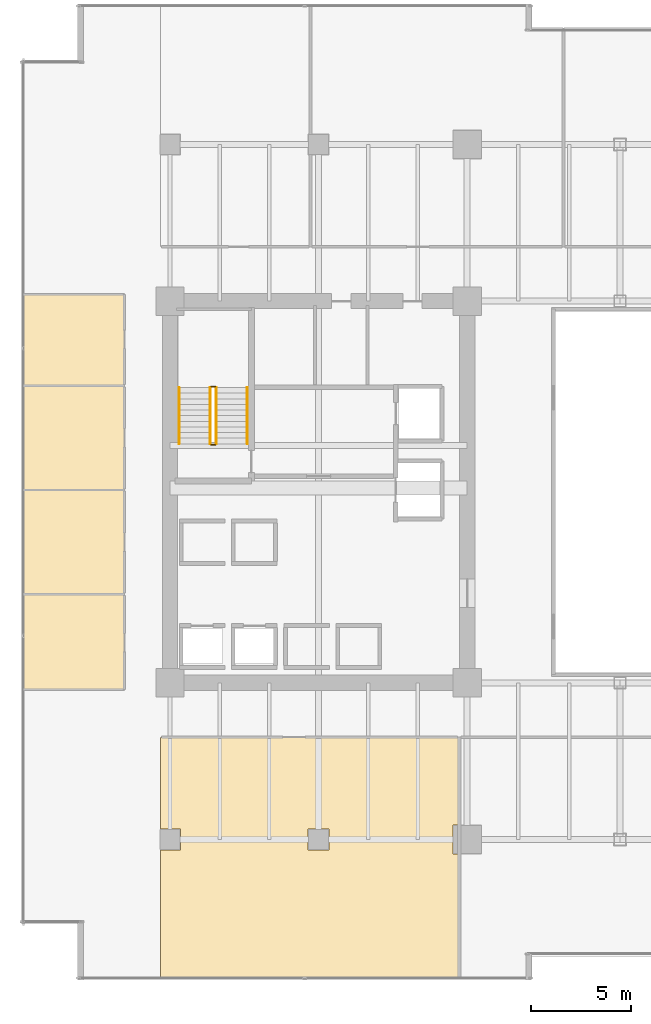
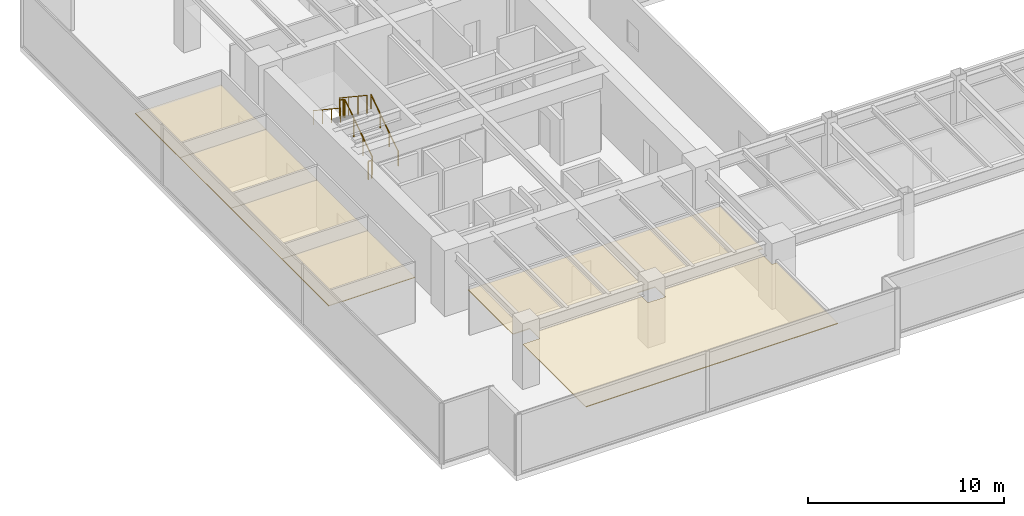
# One storey, part 34 of 36: 6 railings, 5 coverings.
"""IFC4 building model written with IfcOpenShell, lengths in metres."""

from ifc_helpers import new_model, si_unit, direction, frame, origin, origin_2d, place, context, subcontext, project, spatial, polyline, circle, outline, extrude, source, transform, mapped, material, layer, layer_set, type_object, type_shapes, element, save


model = new_model("IFC4")

# Units and contexts
model_context = context("Model", 3, precision=1e-05, world=origin(), true_north=direction((0.0, 1.0)))
body_context = subcontext(model_context, "Body", "Model", "MODEL_VIEW")
ifc_project = project(units=[si_unit("LENGTHUNIT", "METRE"), si_unit("AREAUNIT", "SQUARE_METRE"), si_unit("VOLUMEUNIT", "CUBIC_METRE"), si_unit("PLANEANGLEUNIT", "RADIAN"), si_unit("MASSUNIT", "GRAM", prefix="KILO")], contexts=[model_context])

# Site, building, storey
site_placement = place(None, origin())
site = spatial("IfcSite", under=ifc_project, at=site_placement, CompositionType="ELEMENT")
building_placement = place(site_placement, origin())
building = spatial("IfcBuilding", under=site, at=building_placement, Name="Haelvirn Gate Laboratories", CompositionType="ELEMENT")
storey_placement = place(building_placement, frame((0.0, 0.0, 53.89990234375)))
storey = spatial("IfcBuildingStorey", under=building, at=storey_placement, Name="L13", CompositionType="ELEMENT", Elevation=53.89990234375)

# Coverings
ifc_material_1 = material(Name="Washable cleanroom gasketed aluminium ceiling", Category="aluminium")
ifc_layer = layer(ifc_material_1, 0.050048828125, Name="COV-CEIL-CLN")
ifc_layer_set = layer_set([ifc_layer], Name="Washable cleanroom gasketed aluminium ceiling")
covering_type = type_object("IfcCoveringType", Name="COV-CEIL-CLN", PredefinedType="CEILING", material=ifc_layer_set)
covering_1_placement = place(storey_placement, frame((0.0, 0.0, 2.800048828125)))
element("IfcCovering", 1, at=covering_1_placement, inside=storey, type_object=covering_type, Name="L13 Laboratory Acoustic Ceiling CEIL-SP-L13-S-01", PredefinedType="CEILING", context=body_context, shape_type="SweptSolid", body=[
    extrude(outline(polyline([(6.919921875, 0.050048828125), (6.919921875, 6.47998046875), (7.919921875, 6.47998046875), (7.919921875, 7.52001953125), (6.919921875, 7.52001953125), (6.919921875, 12.080078125), (21.780029296875, 12.080078125), (21.780029296875, 7.719970703125), (21.47998046875, 7.719970703125), (21.47998046875, 6.280029296875), (21.780029296875, 6.280029296875), (21.780029296875, 0.050048828125), (6.919921875, 0.050048828125)]), holes=[polyline([(14.280029296875, 6.47998046875), (15.320068359375, 6.47998046875), (15.320068359375, 7.52001953125), (14.280029296875, 7.52001953125), (14.280029296875, 6.47998046875)])]), origin(), (0.0, 0.0, 1.0), 0.050048828125),
])
covering_2_placement = place(storey_placement, frame((0.0, 0.0, 2.800048828125)))
element("IfcCovering", 2, at=covering_2_placement, inside=storey, type_object=covering_type, Name="L13 Laboratory Acoustic Ceiling CEIL-SP-L13-WCELL-01", PredefinedType="CEILING", context=body_context, shape_type="SweptSolid", body=[
    extrude(outline(polyline([(0.050048828125, 19.199951171875), (5.1201171875, 19.199951171875), (5.1201171875, 14.405029296875), (0.050048828125, 14.405029296875), (0.050048828125, 19.199951171875)])), origin(), (0.0, 0.0, 1.0), 0.050048828125),
])
covering_3_placement = place(storey_placement, frame((0.0, 0.0, 2.800048828125)))
element("IfcCovering", 3, at=covering_3_placement, inside=storey, type_object=covering_type, Name="L13 Laboratory Acoustic Ceiling CEIL-SP-L13-WCELL-02", PredefinedType="CEILING", context=body_context, shape_type="SweptSolid", body=[
    extrude(outline(polyline([(0.050048828125, 24.39990234375), (5.1201171875, 24.39990234375), (5.1201171875, 19.199951171875), (0.050048828125, 19.199951171875), (0.050048828125, 24.39990234375)])), origin(), (0.0, 0.0, 1.0), 0.050048828125),
])
covering_4_placement = place(storey_placement, frame((0.0, 0.0, 2.800048828125)))
element("IfcCovering", 4, at=covering_4_placement, inside=storey, type_object=covering_type, Name="L13 Laboratory Acoustic Ceiling CEIL-SP-L13-WCELL-03", PredefinedType="CEILING", context=body_context, shape_type="SweptSolid", body=[
    extrude(outline(polyline([(0.050048828125, 29.60009765625), (5.1201171875, 29.60009765625), (5.1201171875, 24.39990234375), (0.050048828125, 24.39990234375), (0.050048828125, 29.60009765625)])), origin(), (0.0, 0.0, 1.0), 0.050048828125),
])
covering_5_placement = place(storey_placement, frame((0.0, 0.0, 2.800048828125)))
element("IfcCovering", 5, at=covering_5_placement, inside=storey, type_object=covering_type, Name="L13 Laboratory Acoustic Ceiling CEIL-SP-L13-WCELL-04", PredefinedType="CEILING", context=body_context, shape_type="SweptSolid", body=[
    extrude(outline(polyline([(0.050048828125, 34.195068359375), (5.1201171875, 34.195068359375), (5.1201171875, 29.60009765625), (0.050048828125, 29.60009765625), (0.050048828125, 34.195068359375)])), origin(), (0.0, 0.0, 1.0), 0.050048828125),
])

# Railings
ifc_material_2 = material(Name="Galvanised steel SM355 & stainless top rail", Category="steel")
railing_type_1 = type_object("IfcRailingType", Name="RL-GUARD-1150", PredefinedType="GUARDRAIL", material=ifc_material_2)
shared_shape_1 = source(origin(), body_context, "Body", "SweptSolid", [
    extrude(circle(Radius=0.02392578125, at=origin_2d()), frame((0.0, 0.0, 1.1259765625), z_axis=(-1.0, 0.0, 0.0), x_axis=(0.0, -1.0, 0.0)), (0.0, 0.0, 1.0), 0.199951171875),
    extrude(circle(Radius=0.02099609375, at=origin_2d()), origin(), (0.0, 0.0, 1.0), 1.101806640625),
    extrude(circle(Radius=0.02099609375, at=origin_2d()), frame((-0.199951171875, 0.0, 0.0)), (0.0, 0.0, 1.0), 1.101806640625),
])
for number, where, name in (
    (6, (9.64990234375, 29.550048828125, 2.050048828125), "L13 ST1 stair guard 2"),
    (7, (9.64990234375, 26.64990234375, 0.0), "L13 ST1 stair guard 4"),
):
    element("IfcRailing", number, at=place(storey_placement, frame(where)), inside=storey, type_object=railing_type_1, Name=name, PredefinedType="GUARDRAIL", context=body_context, shape_type="MappedRepresentation", body=[
        mapped(shared_shape_1, transform((0.0, 0.0, 0.0), scale=1.0)),
    ])
shared_shape_2 = source(origin(), body_context, "Body", "SweptSolid", [
    extrude(circle(Radius=0.02392578125, at=origin_2d()), frame((0.0, 0.0, 1.1259765625), z_axis=(0.0, 0.832485552168, 0.554046753832), x_axis=(-1.0, 0.0, 0.0)), (0.0, 0.0, 1.0), 3.363525390625),
    extrude(circle(Radius=0.02099609375, at=origin_2d()), origin(), (0.0, 0.0, 1.0), 1.101806640625),
    extrude(circle(Radius=0.02099609375, at=origin_2d()), frame((0.0, 0.933349609375, 0.62109375)), (0.0, 0.0, 1.0), 1.101806640625),
    extrude(circle(Radius=0.02099609375, at=origin_2d()), frame((0.0, 1.86669921875, 1.242431640625)), (0.0, 0.0, 1.0), 1.101806640625),
    extrude(circle(Radius=0.02099609375, at=origin_2d()), frame((0.0, 2.800048828125, 1.863525390625)), (0.0, 0.0, 1.0), 1.101806640625),
])
railing_1_placement = place(storey_placement, frame((9.699951171875, 26.699951171875, 0.1865234375)))
element("IfcRailing", 8, at=railing_1_placement, inside=storey, type_object=railing_type_1, Name="L13 ST1 stair guard 1", PredefinedType="GUARDRAIL", context=body_context, shape_type="MappedRepresentation", body=[
    mapped(shared_shape_2, transform((0.0, 0.0, 0.0), scale=1.0)),
])
ifc_material_3 = material(Name="Brushed stainless steel 316L", Category="steel")
railing_type_2 = type_object("IfcRailingType", Name="RL-HAND-920", PredefinedType="HANDRAIL", material=ifc_material_3)
shared_shape_3 = source(origin(), body_context, "Body", "SweptSolid", [
    extrude(circle(Radius=0.02392578125, at=origin_2d()), frame((0.0, 0.0, 0.8759765625), z_axis=(0.0, 0.832485552168, 0.554046753832), x_axis=(-1.0, 0.0, 0.0)), (0.0, 0.0, 1.0), 3.363525390625),
    extrude(circle(Radius=0.02099609375, at=origin_2d()), origin(), (0.0, 0.0, 1.0), 0.851806640625),
    extrude(circle(Radius=0.02099609375, at=origin_2d()), frame((0.0, 0.933349609375, 0.62109375)), (0.0, 0.0, 1.0), 0.851806640625),
    extrude(circle(Radius=0.02099609375, at=origin_2d()), frame((0.0, 1.86669921875, 1.242431640625)), (0.0, 0.0, 1.0), 0.851806640625),
    extrude(circle(Radius=0.02099609375, at=origin_2d()), frame((0.0, 2.800048828125, 1.863525390625)), (0.0, 0.0, 1.0), 0.851806640625),
])
railing_2_placement = place(storey_placement, frame((11.25, 26.699951171875, 0.1865234375)))
element("IfcRailing", 9, at=railing_2_placement, inside=storey, type_object=railing_type_2, Name="L13 ST1 stair handrail 1", PredefinedType="HANDRAIL", context=body_context, shape_type="MappedRepresentation", body=[
    mapped(shared_shape_3, transform((0.0, 0.0, 0.0), scale=1.0)),
])
shared_shape_4 = source(origin(), body_context, "Body", "SweptSolid", [
    extrude(circle(Radius=0.02392578125, at=origin_2d()), frame((0.0, 0.0, 1.1259765625), z_axis=(0.0, -0.832485552168, 0.554046753832), x_axis=(1.0, 0.0, 0.0)), (0.0, 0.0, 1.0), 3.363525390625),
    extrude(circle(Radius=0.02099609375, at=origin_2d()), origin(), (0.0, 0.0, 1.0), 1.101806640625),
    extrude(circle(Radius=0.02099609375, at=origin_2d()), frame((0.0, -0.933349609375, 0.62109375)), (0.0, 0.0, 1.0), 1.101806640625),
    extrude(circle(Radius=0.02099609375, at=origin_2d()), frame((0.0, -1.86669921875, 1.242431640625)), (0.0, 0.0, 1.0), 1.101806640625),
    extrude(circle(Radius=0.02099609375, at=origin_2d()), frame((0.0, -2.800048828125, 1.863525390625)), (0.0, 0.0, 1.0), 1.101806640625),
])
type_shapes(railing_type_1, [shared_shape_1, shared_shape_2, shared_shape_4])
railing_3_placement = place(storey_placement, frame((9.39990234375, 29.5, 2.236572265625)))
element("IfcRailing", 10, at=railing_3_placement, inside=storey, type_object=railing_type_1, Name="L13 ST1 stair guard 3", PredefinedType="GUARDRAIL", context=body_context, shape_type="MappedRepresentation", body=[
    mapped(shared_shape_4, transform((0.0, 0.0, 0.0), scale=1.0)),
])
shared_shape_5 = source(origin(), body_context, "Body", "SweptSolid", [
    extrude(circle(Radius=0.02392578125, at=origin_2d()), frame((0.0, 0.0, 0.8759765625), z_axis=(0.0, -0.832485552168, 0.554046753832), x_axis=(1.0, 0.0, 0.0)), (0.0, 0.0, 1.0), 3.363525390625),
    extrude(circle(Radius=0.02099609375, at=origin_2d()), origin(), (0.0, 0.0, 1.0), 0.851806640625),
    extrude(circle(Radius=0.02099609375, at=origin_2d()), frame((0.0, -0.933349609375, 0.62109375)), (0.0, 0.0, 1.0), 0.851806640625),
    extrude(circle(Radius=0.02099609375, at=origin_2d()), frame((0.0, -1.86669921875, 1.242431640625)), (0.0, 0.0, 1.0), 0.851806640625),
    extrude(circle(Radius=0.02099609375, at=origin_2d()), frame((0.0, -2.800048828125, 1.863525390625)), (0.0, 0.0, 1.0), 0.851806640625),
])
type_shapes(railing_type_2, [shared_shape_3, shared_shape_5])
railing_4_placement = place(storey_placement, frame((7.85009765625, 29.5, 2.236572265625)))
element("IfcRailing", 11, at=railing_4_placement, inside=storey, type_object=railing_type_2, Name="L13 ST1 stair handrail 2", PredefinedType="HANDRAIL", context=body_context, shape_type="MappedRepresentation", body=[
    mapped(shared_shape_5, transform((0.0, 0.0, 0.0), scale=1.0)),
])

save(model, "model.ifc")
